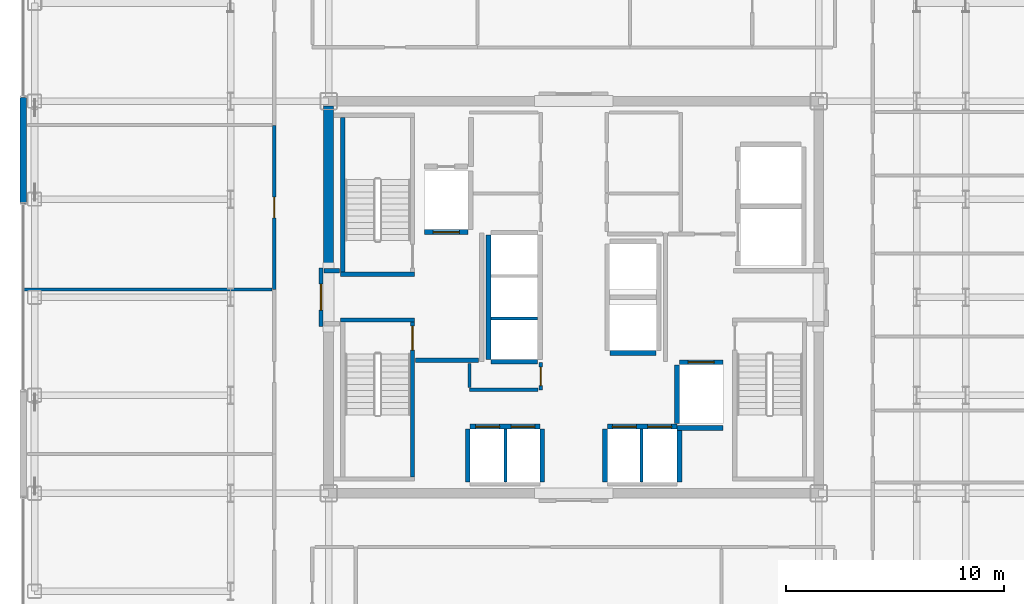
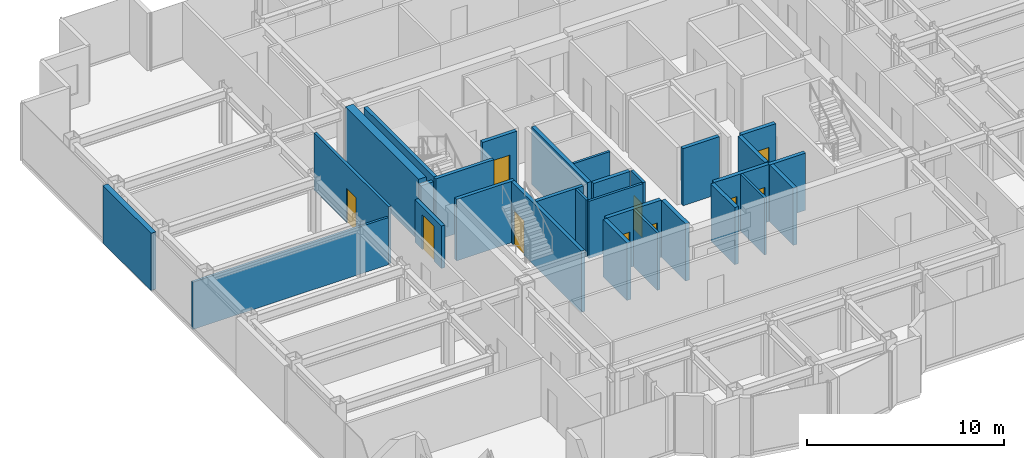
# One storey, part 16 of 21: 30 walls, 10 doors, 10 openings.
"""IFC4 building model written with IfcOpenShell, lengths in metres."""

from ifc_helpers import new_model, si_unit, direction, frame, frame_2d, origin, place, context, subcontext, project, spatial, rectangle, extrude, source, transform, mapped, material, layer, layer_set, type_object, element, fill, save


model = new_model("IFC4")

# Units and contexts
model_context = context("Model", 3, precision=1e-05, world=origin(), true_north=direction((0.0, 1.0)))
body_context = subcontext(model_context, "Body", "Model", "MODEL_VIEW")
ifc_project = project(units=[si_unit("LENGTHUNIT", "METRE"), si_unit("AREAUNIT", "SQUARE_METRE"), si_unit("VOLUMEUNIT", "CUBIC_METRE"), si_unit("PLANEANGLEUNIT", "RADIAN"), si_unit("MASSUNIT", "GRAM", prefix="KILO")], contexts=[model_context])

# Site, building, storey
site_placement = place(None, origin())
site = spatial("IfcSite", under=ifc_project, at=site_placement, CompositionType="ELEMENT")
building_placement = place(site_placement, origin())
building = spatial("IfcBuilding", under=site, at=building_placement, Name="Nefas-Gora Pilgrimage Tower", CompositionType="ELEMENT")
storey_placement = place(building_placement, frame((0.0, 0.0, 252.199951171875)))
storey = spatial("IfcBuildingStorey", under=building, at=storey_placement, Name="L63", CompositionType="ELEMENT", Elevation=252.199951171875)

# Walls
ifc_material_1 = material(Name="Concrete C50/60", Category="concrete")
ifc_layer_1 = layer(ifc_material_1, 0.449951171875)
ifc_layer_set_1 = layer_set([ifc_layer_1], Name="Concrete C50/60")
wall_type_1 = type_object("IfcWallType", Name="SW-CORE-450", PredefinedType="SHEAR", material=ifc_layer_set_1)
shared_shape_1 = source(origin(), body_context, "Body", "SweptSolid", [
    extrude(rectangle(XDim=7.4248046875, YDim=0.449951171875, at=frame_2d((3.71240234375, 0.0))), origin(), (0.0, 0.0, 1.0), 3.800048828125),
])
wall_1_placement = place(storey_placement, frame((-11.25, 1.35009765625, 0.0), z_axis=(0.0, 0.0, 1.0), x_axis=(0.0, 1.0, 0.0)))
element("IfcWall", 1, at=wall_1_placement, inside=storey, type_object=wall_type_1, Name="L63 Core Shear Wall W-North", PredefinedType="SHEAR", context=body_context, shape_type="MappedRepresentation", body=[
    mapped(shared_shape_1, transform((0.0, 0.0, 0.0), x_axis=(1.0, 0.0, 0.0), y_axis=(0.0, 1.0, 0.0), z_axis=(0.0, 0.0, 1.0), scale=1.0)),
])
ifc_material_2 = material(Name="Precast concrete C45/55", Category="concrete")
ifc_layer_2 = layer(ifc_material_2, 0.239990234375)
ifc_layer_set_2 = layer_set([ifc_layer_2], Name="Precast concrete C45/55")
wall_type_2 = type_object("IfcWallType", Name="EW-SERR-240", PredefinedType="SHEAR", material=ifc_layer_set_2)
shared_shape_2 = source(origin(), body_context, "Body", "SweptSolid", [
    extrude(rectangle(XDim=4.8798828125, YDim=0.300048828125, at=frame_2d((2.43994140625, 0.0))), origin(), (0.0, 0.0, 1.0), 3.550048828125),
])
wall_2_placement = place(storey_placement, frame((-25.27001953125, 4.31005859375, 0.0), z_axis=(0.0, 0.0, 1.0), x_axis=(0.0, 1.0, 0.0)))
element("IfcWall", 2, at=wall_2_placement, inside=storey, type_object=wall_type_2, Name="L63 Braced-Tube Precast Shear Cladding 2", PredefinedType="SHEAR", context=body_context, shape_type="MappedRepresentation", body=[
    mapped(shared_shape_2, transform((0.0, 0.0, 0.0), x_axis=(1.0, 0.0, 0.0), y_axis=(0.0, 1.0, 0.0), z_axis=(0.0, 0.0, 1.0), scale=1.0)),
])
ifc_material_3 = material(Name="Concrete C45/55", Category="concrete")
ifc_layer_3 = layer(ifc_material_3, 0.199951171875)
ifc_layer_set_3 = layer_set([ifc_layer_3], Name="Concrete C45/55")
wall_type_3 = type_object("IfcWallType", Name="IW-STAIR-200", PredefinedType="SOLIDWALL", material=ifc_layer_set_3)
shared_shape_3 = source(origin(), body_context, "Body", "SweptSolid", [
    extrude(rectangle(XDim=3.39990234375, YDim=0.199951171875, at=frame_2d((1.699951171875, 0.0))), origin(), (0.0, 0.0, 1.0), 3.800048828125),
])
for number, where, z_axis, x_axis, name in (
    (3, (-7.300048828125, 1.050048828125, 0.0), (0.0, 0.0, 1.0), (-1.0, 0.0, 0.0), "L63 Stairwell Shear Wall ST-01-near"),
    (4, (-10.699951171875, -1.050048828125, 0.0), (0.0, 0.0, 1.0), (1.0, 0.0, 0.0), "L63 Stairwell Shear Wall ST-03-near"),
):
    element("IfcWall", number, at=place(storey_placement, frame(where, z_axis=z_axis, x_axis=x_axis)), inside=storey, type_object=wall_type_3, Name=name, PredefinedType="SOLIDWALL", context=body_context, shape_type="MappedRepresentation", body=[
        mapped(shared_shape_3, transform((0.0, 0.0, 0.0), x_axis=(1.0, 0.0, 0.0), y_axis=(0.0, 1.0, 0.0), z_axis=(0.0, 0.0, 1.0), scale=1.0)),
    ])
shared_shape_4 = source(origin(), body_context, "Body", "SweptSolid", [
    extrude(rectangle(XDim=7.10009765625, YDim=0.199951171875, at=frame_2d((3.550048828125, 0.0))), origin(), (0.0, 0.0, 1.0), 3.800048828125),
])
wall_3_placement = place(storey_placement, frame((-10.60009765625, 1.14990234375, 0.0), z_axis=(0.0, 0.0, 1.0), x_axis=(0.0, 1.0, 0.0)))
element("IfcWall", 5, at=wall_3_placement, inside=storey, type_object=wall_type_3, Name="L63 Stairwell Shear Wall ST-01-right", PredefinedType="SOLIDWALL", context=body_context, shape_type="MappedRepresentation", body=[
    mapped(shared_shape_4, transform((0.0, 0.0, 0.0), x_axis=(1.0, 0.0, 0.0), y_axis=(0.0, 1.0, 0.0), z_axis=(0.0, 0.0, 1.0), scale=1.0)),
])

# Wall, opening, door
wall_4_placement = place(storey_placement, frame((-7.39990234375, -1.14990234375, 0.0), z_axis=(0.0, 0.0, 1.0), x_axis=(0.0, -1.0, 0.0)))
wall_4 = element("IfcWall", 6, at=wall_4_placement, inside=storey, type_object=wall_type_3, Name="L63 Stairwell Shear Wall ST-03-right", PredefinedType="SOLIDWALL", context=body_context, shape_type="MappedRepresentation", body=[
    mapped(shared_shape_4, transform((0.0, 0.0, 0.0), x_axis=(1.0, 0.0, 0.0), y_axis=(0.0, 1.0, 0.0), z_axis=(0.0, 0.0, 1.0), scale=1.0)),
])
opening_1_placement = place(wall_4_placement, frame((0.179931640625, 0.0, 0.0)))
opening_1 = element("IfcOpeningElement", 7, at=opening_1_placement, cuts=wall_4, Name="Opening ID-ST1", PredefinedType="OPENING", context=body_context, shape_type="SweptSolid", body=[
    extrude(rectangle(XDim=1.10009765625, YDim=2.14990234375, at=frame_2d((0.550048828125, 1.074951171875))), frame((0.0, 0.10986328125, 0.0), z_axis=(0.0, -1.0, 0.0), x_axis=(1.0, 0.0, 0.0)), (0.0, 0.0, 1.0), 0.219970703125),
])
ifc_material_4 = material(Name="Painted galvanised steel fire stair door", Category="steel")
door_type_1 = type_object("IfcDoorType", Name="DR-INT-STAIR-1100", OperationType="NOTDEFINED", PredefinedType="DOOR", material=ifc_material_4)
shared_shape_5 = source(origin(), body_context, "Body", "SweptSolid", [
    extrude(rectangle(XDim=1.10009765625, YDim=2.14990234375, at=frame_2d((0.550048828125, 1.074951171875))), frame((0.0, 0.02490234375, 0.0), z_axis=(0.0, -1.0, 0.0), x_axis=(1.0, 0.0, 0.0)), (0.0, 0.0, 1.0), 0.050048828125),
])
door_1_placement = place(opening_1_placement, origin())
door_1 = element("IfcDoor", 8, at=door_1_placement, inside=storey, type_object=door_type_1, Name="L63 Protected Exit Stair Door ST-03", OperationType="SINGLE_SWING_LEFT", OverallHeight=2.14990234375, OverallWidth=1.10009765625, PredefinedType="DOOR", context=body_context, shape_type="MappedRepresentation", body=[
    mapped(shared_shape_5, transform((0.0, 0.0, 0.0), x_axis=(1.0, 0.0, 0.0), y_axis=(0.0, 1.0, 0.0), z_axis=(0.0, 0.0, 1.0), scale=1.0)),
])
fill(opening_1, door_1)

ifc_material_5 = material(Name="Concrete C40/50", Category="concrete")
ifc_layer_4 = layer(ifc_material_5, 0.219970703125)
ifc_layer_set_4 = layer_set([ifc_layer_4], Name="Concrete C40/50")
wall_type_4 = type_object("IfcWallType", Name="IW-SHAFT-220", PredefinedType="SOLIDWALL", material=ifc_layer_set_4)
shared_shape_6 = source(origin(), body_context, "Body", "SweptSolid", [
    extrude(rectangle(XDim=2.0, YDim=0.219970703125, at=frame_2d((1.0, 0.0))), origin(), (0.0, 0.0, 1.0), 3.53515625),
])
wall_5_placement = place(storey_placement, frame((-6.85009765625, 2.989990234375, 0.0), z_axis=(0.0, 0.0, 1.0), x_axis=(1.0, 0.0, 0.0)))
wall_5 = element("IfcWall", 9, at=wall_5_placement, inside=storey, type_object=wall_type_4, Name="L63 Hoistway Wall FFL-01-S", PredefinedType="SOLIDWALL", context=body_context, shape_type="MappedRepresentation", body=[
    mapped(shared_shape_6, transform((0.0, 0.0, 0.0), x_axis=(1.0, 0.0, 0.0), y_axis=(0.0, 1.0, 0.0), z_axis=(0.0, 0.0, 1.0), scale=1.0)),
])
opening_2_placement = place(wall_5_placement, frame((0.39990234375, 0.0, 0.0)))
opening_2 = element("IfcOpeningElement", 10, at=opening_2_placement, cuts=wall_5, Name="Opening LD-FF", PredefinedType="OPENING", context=body_context, shape_type="SweptSolid", body=[
    extrude(rectangle(XDim=1.199951171875, YDim=2.199951171875, at=frame_2d((0.60009765625, 1.10009765625))), frame((0.0, 0.119873046875, 0.0), z_axis=(0.0, -1.0, 0.0), x_axis=(1.0, 0.0, 0.0)), (0.0, 0.0, 1.0), 0.239990234375),
])
ifc_material_6 = material(Name="Fire-service sliding lift landing door")
door_type_2 = type_object("IfcDoorType", Name="DR-LIFT-FSAE-1200", OperationType="SLIDING_TO_LEFT", PredefinedType="DOOR", material=ifc_material_6)
shared_shape_7 = source(origin(), body_context, "Body", "SweptSolid", [
    extrude(rectangle(XDim=1.199951171875, YDim=2.199951171875, at=frame_2d((0.60009765625, 1.10009765625))), frame((0.0, 0.02490234375, 0.0), z_axis=(0.0, -1.0, 0.0), x_axis=(1.0, 0.0, 0.0)), (0.0, 0.0, 1.0), 0.050048828125),
])
door_2_placement = place(opening_2_placement, origin())
door_2 = element("IfcDoor", 11, at=door_2_placement, inside=storey, type_object=door_type_2, Name="L63 Sliding Lift Landing Door FFL-01", OperationType="SLIDING_TO_LEFT", OverallHeight=2.199951171875, OverallWidth=1.199951171875, PredefinedType="DOOR", context=body_context, shape_type="MappedRepresentation", body=[
    mapped(shared_shape_7, transform((0.0, 0.0, 0.0), x_axis=(1.0, 0.0, 0.0), y_axis=(0.0, 1.0, 0.0), z_axis=(0.0, 0.0, 1.0), scale=1.0)),
])
fill(opening_2, door_2)

wall_6_placement = place(storey_placement, frame((6.85009765625, -2.989990234375, 0.0), z_axis=(0.0, 0.0, 1.0), x_axis=(-1.0, 0.0, 0.0)))
wall_6 = element("IfcWall", 12, at=wall_6_placement, inside=storey, type_object=wall_type_4, Name="L63 Hoistway Wall FFL-02-N", PredefinedType="SOLIDWALL", context=body_context, shape_type="MappedRepresentation", body=[
    mapped(shared_shape_6, transform((0.0, 0.0, 0.0), x_axis=(1.0, 0.0, 0.0), y_axis=(0.0, 1.0, 0.0), z_axis=(0.0, 0.0, 1.0), scale=1.0)),
])
opening_3_placement = place(wall_6_placement, frame((0.39990234375, 0.0, 0.0)))
opening_3 = element("IfcOpeningElement", 13, at=opening_3_placement, cuts=wall_6, Name="Opening LD-FF", PredefinedType="OPENING", context=body_context, shape_type="SweptSolid", body=[
    extrude(rectangle(XDim=1.199951171875, YDim=2.199951171875, at=frame_2d((0.60009765625, 1.10009765625))), frame((0.0, 0.119873046875, 0.0), z_axis=(0.0, -1.0, 0.0), x_axis=(1.0, 0.0, 0.0)), (0.0, 0.0, 1.0), 0.239990234375),
])
door_3_placement = place(opening_3_placement, origin())
door_3 = element("IfcDoor", 14, at=door_3_placement, inside=storey, type_object=door_type_2, Name="L63 Sliding Lift Landing Door FFL-02", OperationType="SLIDING_TO_LEFT", OverallHeight=2.199951171875, OverallWidth=1.199951171875, PredefinedType="DOOR", context=body_context, shape_type="MappedRepresentation", body=[
    mapped(shared_shape_7, transform((0.0, 0.0, 0.0), x_axis=(1.0, 0.0, 0.0), y_axis=(0.0, 1.0, 0.0), z_axis=(0.0, 0.0, 1.0), scale=1.0)),
])
fill(opening_3, door_3)

# Wall
shared_shape_8 = source(origin(), body_context, "Body", "SweptSolid", [
    extrude(rectangle(XDim=2.679931640625, YDim=0.219970703125, at=frame_2d((1.33984375, 0.0))), origin(), (0.0, 0.0, 1.0), 3.53515625),
])
wall_7_placement = place(storey_placement, frame((4.739990234375, -3.110107421875, 0.0), z_axis=(0.0, 0.0, 1.0), x_axis=(0.0, -1.0, 0.0)))
element("IfcWall", 15, at=wall_7_placement, inside=storey, type_object=wall_type_4, Name="L63 Hoistway Wall FFL-02-W", PredefinedType="SOLIDWALL", context=body_context, shape_type="MappedRepresentation", body=[
    mapped(shared_shape_8, transform((0.0, 0.0, 0.0), x_axis=(1.0, 0.0, 0.0), y_axis=(0.0, 1.0, 0.0), z_axis=(0.0, 0.0, 1.0), scale=1.0)),
])

# Wall, openings, doors
shared_shape_9 = source(origin(), body_context, "Body", "SweptSolid", [
    extrude(rectangle(XDim=3.199951171875, YDim=0.219970703125, at=frame_2d((1.60009765625, 0.0))), origin(), (0.0, 0.0, 1.0), 3.53515625),
])
wall_8_placement = place(storey_placement, frame((-1.550048828125, -5.93994140625, 0.0), z_axis=(0.0, 0.0, 1.0), x_axis=(-1.0, 0.0, 0.0)))
wall_8 = element("IfcWall", 16, at=wall_8_placement, inside=storey, type_object=wall_type_4, Name="L63 Hoistway Wall PL2-W-N", PredefinedType="SOLIDWALL", context=body_context, shape_type="MappedRepresentation", body=[
    mapped(shared_shape_9, transform((0.0, 0.0, 0.0), x_axis=(1.0, 0.0, 0.0), y_axis=(0.0, 1.0, 0.0), z_axis=(0.0, 0.0, 1.0), scale=1.0)),
])
opening_4_placement = place(wall_8_placement, frame((1.85009765625, 0.0, 0.0)))
opening_4 = element("IfcOpeningElement", 17, at=opening_4_placement, cuts=wall_8, Name="Opening LD-01", PredefinedType="OPENING", context=body_context, shape_type="SweptSolid", body=[
    extrude(rectangle(XDim=1.10009765625, YDim=2.199951171875, at=frame_2d((0.550048828125, 1.10009765625))), frame((0.0, 0.119873046875, 0.0), z_axis=(0.0, -1.0, 0.0), x_axis=(1.0, 0.0, 0.0)), (0.0, 0.0, 1.0), 0.239990234375),
])
opening_5_placement = place(wall_8_placement, frame((0.22509765625, 0.0, 0.0)))
opening_5 = element("IfcOpeningElement", 18, at=opening_5_placement, cuts=wall_8, Name="Opening LD-01", PredefinedType="OPENING", context=body_context, shape_type="SweptSolid", body=[
    extrude(rectangle(XDim=1.10009765625, YDim=2.199951171875, at=frame_2d((0.550048828125, 1.10009765625))), frame((0.0, 0.119873046875, 0.0), z_axis=(0.0, -1.0, 0.0), x_axis=(1.0, 0.0, 0.0)), (0.0, 0.0, 1.0), 0.239990234375),
])
ifc_material_7 = material(Name="Brushed stainless sliding lift landing door")
door_type_3 = type_object("IfcDoorType", Name="DR-LIFT-PASS-1100", OperationType="DOUBLE_DOOR_SLIDING", PredefinedType="DOOR", material=ifc_material_7)
shared_shape_10 = source(origin(), body_context, "Body", "SweptSolid", [
    extrude(rectangle(XDim=1.10009765625, YDim=2.199951171875, at=frame_2d((0.550048828125, 1.10009765625))), frame((0.0, 0.02490234375, 0.0), z_axis=(0.0, -1.0, 0.0), x_axis=(1.0, 0.0, 0.0)), (0.0, 0.0, 1.0), 0.050048828125),
])
door_4_placement = place(opening_4_placement, origin())
door_4 = element("IfcDoor", 19, at=door_4_placement, inside=storey, type_object=door_type_3, Name="L63 Sliding Lift Landing Door PL2-01", OperationType="DOUBLE_DOOR_SLIDING", OverallHeight=2.199951171875, OverallWidth=1.10009765625, PredefinedType="DOOR", context=body_context, shape_type="MappedRepresentation", body=[
    mapped(shared_shape_10, transform((0.0, 0.0, 0.0), x_axis=(1.0, 0.0, 0.0), y_axis=(0.0, 1.0, 0.0), z_axis=(0.0, 0.0, 1.0), scale=1.0)),
])
fill(opening_4, door_4)
door_5_placement = place(opening_5_placement, origin())
door_5 = element("IfcDoor", 20, at=door_5_placement, inside=storey, type_object=door_type_3, Name="L63 Sliding Lift Landing Door PL2-02", OperationType="DOUBLE_DOOR_SLIDING", OverallHeight=2.199951171875, OverallWidth=1.10009765625, PredefinedType="DOOR", context=body_context, shape_type="MappedRepresentation", body=[
    mapped(shared_shape_10, transform((0.0, 0.0, 0.0), x_axis=(1.0, 0.0, 0.0), y_axis=(0.0, 1.0, 0.0), z_axis=(0.0, 0.0, 1.0), scale=1.0)),
])
fill(opening_5, door_5)

wall_9_placement = place(storey_placement, frame((4.75, -5.93994140625, 0.0), z_axis=(0.0, 0.0, 1.0), x_axis=(-1.0, 0.0, 0.0)))
wall_9 = element("IfcWall", 21, at=wall_9_placement, inside=storey, type_object=wall_type_4, Name="L63 Hoistway Wall PL2-E-N", PredefinedType="SOLIDWALL", context=body_context, shape_type="MappedRepresentation", body=[
    mapped(shared_shape_9, transform((0.0, 0.0, 0.0), x_axis=(1.0, 0.0, 0.0), y_axis=(0.0, 1.0, 0.0), z_axis=(0.0, 0.0, 1.0), scale=1.0)),
])
opening_6_placement = place(wall_9_placement, frame((1.875, 0.0, 0.0)))
opening_6 = element("IfcOpeningElement", 22, at=opening_6_placement, cuts=wall_9, Name="Opening LD-01", PredefinedType="OPENING", context=body_context, shape_type="SweptSolid", body=[
    extrude(rectangle(XDim=1.10009765625, YDim=2.199951171875, at=frame_2d((0.550048828125, 1.10009765625))), frame((0.0, 0.119873046875, 0.0), z_axis=(0.0, -1.0, 0.0), x_axis=(1.0, 0.0, 0.0)), (0.0, 0.0, 1.0), 0.239990234375),
])
opening_7_placement = place(wall_9_placement, frame((0.25, 0.0, 0.0)))
opening_7 = element("IfcOpeningElement", 23, at=opening_7_placement, cuts=wall_9, Name="Opening LD-01", PredefinedType="OPENING", context=body_context, shape_type="SweptSolid", body=[
    extrude(rectangle(XDim=1.10009765625, YDim=2.199951171875, at=frame_2d((0.550048828125, 1.10009765625))), frame((0.0, 0.119873046875, 0.0), z_axis=(0.0, -1.0, 0.0), x_axis=(1.0, 0.0, 0.0)), (0.0, 0.0, 1.0), 0.239990234375),
])
door_6_placement = place(opening_6_placement, origin())
door_6 = element("IfcDoor", 24, at=door_6_placement, inside=storey, type_object=door_type_3, Name="L63 Sliding Lift Landing Door PL2-03", OperationType="DOUBLE_DOOR_SLIDING", OverallHeight=2.199951171875, OverallWidth=1.10009765625, PredefinedType="DOOR", context=body_context, shape_type="MappedRepresentation", body=[
    mapped(shared_shape_10, transform((0.0, 0.0, 0.0), x_axis=(1.0, 0.0, 0.0), y_axis=(0.0, 1.0, 0.0), z_axis=(0.0, 0.0, 1.0), scale=1.0)),
])
fill(opening_6, door_6)
door_7_placement = place(opening_7_placement, origin())
door_7 = element("IfcDoor", 25, at=door_7_placement, inside=storey, type_object=door_type_3, Name="L63 Sliding Lift Landing Door PL2-04", OperationType="DOUBLE_DOOR_SLIDING", OverallHeight=2.199951171875, OverallWidth=1.10009765625, PredefinedType="DOOR", context=body_context, shape_type="MappedRepresentation", body=[
    mapped(shared_shape_10, transform((0.0, 0.0, 0.0), x_axis=(1.0, 0.0, 0.0), y_axis=(0.0, 1.0, 0.0), z_axis=(0.0, 0.0, 1.0), scale=1.0)),
])
fill(opening_7, door_7)

# Walls
shared_shape_11 = source(origin(), body_context, "Body", "SweptSolid", [
    extrude(rectangle(XDim=2.429931640625, YDim=0.219970703125, at=frame_2d((1.21484375, 0.0))), origin(), (0.0, 0.0, 1.0), 3.53515625),
])
for number, where, z_axis, x_axis, name in (
    (26, (-4.860107421875, -6.06005859375, 0.0), (0.0, 0.0, 1.0), (0.0, -1.0, 0.0), "L63 Hoistway Wall PL2-W-W"),
    (27, (-1.43994140625, -8.489990234375, 0.0), (0.0, 0.0, 1.0), (0.0, 1.0, 0.0), "L63 Hoistway Wall PL2-W-E"),
    (28, (1.43994140625, -6.06005859375, 0.0), (0.0, 0.0, 1.0), (0.0, -1.0, 0.0), "L63 Hoistway Wall PL2-E-W"),
    (29, (4.860107421875, -8.489990234375, 0.0), (0.0, 0.0, 1.0), (0.0, 1.0, 0.0), "L63 Hoistway Wall PL2-E-E"),
):
    element("IfcWall", number, at=place(storey_placement, frame(where, z_axis=z_axis, x_axis=x_axis)), inside=storey, type_object=wall_type_4, Name=name, PredefinedType="SOLIDWALL", context=body_context, shape_type="MappedRepresentation", body=[
        mapped(shared_shape_11, transform((0.0, 0.0, 0.0), x_axis=(1.0, 0.0, 0.0), y_axis=(0.0, 1.0, 0.0), z_axis=(0.0, 0.0, 1.0), scale=1.0)),
    ])
ifc_material_8 = material(Name="Gypsum twin-stud partition")
ifc_layer_5 = layer(ifc_material_8, 0.139892578125)
ifc_layer_set_5 = layer_set([ifc_layer_5], Name="Gypsum twin-stud partition")
wall_type_5 = type_object("IfcWallType", Name="IW-UNIT-140", PredefinedType="PARTITIONING", material=ifc_layer_set_5)
shared_shape_12 = source(origin(), body_context, "Body", "SweptSolid", [
    extrude(rectangle(XDim=2.429931640625, YDim=0.139892578125, at=frame_2d((1.21484375, 0.0))), origin(), (0.0, 0.0, 1.0), 3.53515625),
])
for number, where, z_axis, x_axis, name in (
    (30, (-3.125, -8.489990234375, 0.0), (0.0, 0.0, 1.0), (0.0, 1.0, 0.0), "L63 Hoistway Wall PL2-W-DIV"),
    (31, (3.125, -8.489990234375, 0.0), (0.0, 0.0, 1.0), (0.0, 1.0, 0.0), "L63 Hoistway Wall PL2-E-DIV"),
):
    element("IfcWall", number, at=place(storey_placement, frame(where, z_axis=z_axis, x_axis=x_axis)), inside=storey, type_object=wall_type_5, Name=name, PredefinedType="PARTITIONING", context=body_context, shape_type="MappedRepresentation", body=[
        mapped(shared_shape_12, transform((0.0, 0.0, 0.0), x_axis=(1.0, 0.0, 0.0), y_axis=(0.0, 1.0, 0.0), z_axis=(0.0, 0.0, 1.0), scale=1.0)),
    ])
shared_shape_13 = source(origin(), body_context, "Body", "SweptSolid", [
    extrude(rectangle(XDim=5.7001953125, YDim=0.219970703125, at=frame_2d((2.85009765625, 0.0))), origin(), (0.0, 0.0, 1.0), 3.53515625),
])
wall_10_placement = place(storey_placement, frame((-3.909912109375, 2.85009765625, 0.0), z_axis=(0.0, 0.0, 1.0), x_axis=(0.0, -1.0, 0.0)))
element("IfcWall", 32, at=wall_10_placement, inside=storey, type_object=wall_type_4, Name="L63 Hoistway Wall PL3-01-03-W", PredefinedType="SOLIDWALL", context=body_context, shape_type="MappedRepresentation", body=[
    mapped(shared_shape_13, transform((0.0, 0.0, 0.0), x_axis=(1.0, 0.0, 0.0), y_axis=(0.0, 1.0, 0.0), z_axis=(0.0, 0.0, 1.0), scale=1.0)),
])
shared_shape_14 = source(origin(), body_context, "Body", "SweptSolid", [
    extrude(rectangle(XDim=2.130126953125, YDim=0.219970703125, at=frame_2d((1.06494140625, 0.0))), origin(), (0.0, 0.0, 1.0), 3.53515625),
])
for number, where, z_axis, x_axis, name in (
    (33, (-3.7900390625, -2.9599609375, 0.0), (0.0, 0.0, 1.0), (1.0, 0.0, 0.0), "L63 Hoistway Wall PL3-01-S"),
    (34, (1.659912109375, -2.56005859375, 0.0), (0.0, 0.0, 1.0), (1.0, 0.0, 0.0), "L63 Hoistway Wall OBS-01-S"),
):
    element("IfcWall", number, at=place(storey_placement, frame(where, z_axis=z_axis, x_axis=x_axis)), inside=storey, type_object=wall_type_4, Name=name, PredefinedType="SOLIDWALL", context=body_context, shape_type="MappedRepresentation", body=[
        mapped(shared_shape_14, transform((0.0, 0.0, 0.0), x_axis=(1.0, 0.0, 0.0), y_axis=(0.0, 1.0, 0.0), z_axis=(0.0, 0.0, 1.0), scale=1.0)),
    ])
shared_shape_15 = source(origin(), body_context, "Body", "SweptSolid", [
    extrude(rectangle(XDim=2.130126953125, YDim=0.139892578125, at=frame_2d((1.06494140625, 0.0))), origin(), (0.0, 0.0, 1.0), 3.53515625),
])
wall_11_placement = place(storey_placement, frame((-3.7900390625, -0.97509765625, 0.0), z_axis=(0.0, 0.0, 1.0), x_axis=(1.0, 0.0, 0.0)))
element("IfcWall", 35, at=wall_11_placement, inside=storey, type_object=wall_type_5, Name="L63 Hoistway Wall PL3-01-02-DIV", PredefinedType="PARTITIONING", context=body_context, shape_type="MappedRepresentation", body=[
    mapped(shared_shape_15, transform((0.0, 0.0, 0.0), x_axis=(1.0, 0.0, 0.0), y_axis=(0.0, 1.0, 0.0), z_axis=(0.0, 0.0, 1.0), scale=1.0)),
])
shared_shape_16 = source(origin(), body_context, "Body", "SweptSolid", [
    extrude(rectangle(XDim=2.09521484375, YDim=0.219970703125, at=frame_2d((1.047607421875, 0.0))), origin(), (0.0, 0.0, 1.0), 3.53515625),
])
wall_12_placement = place(storey_placement, frame((4.7548828125, -6.0, 0.0), z_axis=(0.0, 0.0, 1.0), x_axis=(1.0, 0.0, 0.0)))
element("IfcWall", 36, at=wall_12_placement, inside=storey, type_object=wall_type_4, Name="L63 Riser Shaft Wall 3", PredefinedType="SOLIDWALL", context=body_context, shape_type="MappedRepresentation", body=[
    mapped(shared_shape_16, transform((0.0, 0.0, 0.0), x_axis=(1.0, 0.0, 0.0), y_axis=(0.0, 1.0, 0.0), z_axis=(0.0, 0.0, 1.0), scale=1.0)),
])
ifc_material_9 = material(Name="Gypsum fire-rated shaftwall")
ifc_layer_6 = layer(ifc_material_9, 0.199951171875)
ifc_layer_set_6 = layer_set([ifc_layer_6], Name="Gypsum fire-rated shaftwall")
wall_type_6 = type_object("IfcWallType", Name="IW-FFLOB-200", PredefinedType="PARTITIONING", material=ifc_layer_set_6)
shared_shape_17 = source(origin(), body_context, "Body", "SweptSolid", [
    extrude(rectangle(XDim=2.89990234375, YDim=0.199951171875, at=frame_2d((1.449951171875, 0.0))), origin(), (0.0, 0.0, 1.0), 3.53515625),
])
wall_13_placement = place(storey_placement, frame((-7.260009765625, -2.89990234375, 0.0), z_axis=(0.0, 0.0, 1.0), x_axis=(1.0, 0.0, 0.0)))
element("IfcWall", 37, at=wall_13_placement, inside=storey, type_object=wall_type_6, Name="L63 FF Lobby West South Wall Wall 6", PredefinedType="PARTITIONING", context=body_context, shape_type="MappedRepresentation", body=[
    mapped(shared_shape_17, transform((0.0, 0.0, 0.0), x_axis=(1.0, 0.0, 0.0), y_axis=(0.0, 1.0, 0.0), z_axis=(0.0, 0.0, 1.0), scale=1.0)),
])
shared_shape_18 = source(origin(), body_context, "Body", "SweptSolid", [
    extrude(rectangle(XDim=0.719970703125, YDim=0.199951171875, at=frame_2d((0.35986328125, 0.0))), origin(), (0.0, 0.0, 1.0), 3.53515625),
])
wall_14_placement = place(storey_placement, frame((-11.4599609375, 1.219970703125, 0.0), z_axis=(0.0, 0.0, 1.0), x_axis=(1.0, 0.0, 0.0)))
element("IfcWall", 38, at=wall_14_placement, inside=storey, type_object=wall_type_6, Name="L63 FF Lobby West Throat N Wall 7", PredefinedType="PARTITIONING", context=body_context, shape_type="MappedRepresentation", body=[
    mapped(shared_shape_18, transform((0.0, 0.0, 0.0), x_axis=(1.0, 0.0, 0.0), y_axis=(0.0, 1.0, 0.0), z_axis=(0.0, 0.0, 1.0), scale=1.0)),
])
shared_shape_19 = source(origin(), body_context, "Body", "SweptSolid", [
    extrude(rectangle(XDim=3.150146484375, YDim=0.139892578125, at=frame_2d((1.5751953125, 0.0))), origin(), (0.0, 0.0, 1.0), 3.53515625),
])
wall_15_placement = place(storey_placement, frame((-4.7900390625, -4.25, 0.0), z_axis=(0.0, 0.0, 1.0), x_axis=(1.0, 0.0, 0.0)))
element("IfcWall", 39, at=wall_15_placement, inside=storey, type_object=wall_type_5, Name="L63 Guest Self-Service Laundry Room Partition Wall 27", PredefinedType="PARTITIONING", context=body_context, shape_type="MappedRepresentation", body=[
    mapped(shared_shape_19, transform((0.0, 0.0, 0.0), x_axis=(1.0, 0.0, 0.0), y_axis=(0.0, 1.0, 0.0), z_axis=(0.0, 0.0, 1.0), scale=1.0)),
])

# Wall, opening, door
ifc_material_10 = material(Name="Gypsum acoustic stud partition")
ifc_layer_7 = layer(ifc_material_10, 0.159912109375)
ifc_layer_set_7 = layer_set([ifc_layer_7], Name="Gypsum acoustic stud partition")
wall_type_7 = type_object("IfcWallType", Name="IW-CORR-160", PredefinedType="PARTITIONING", material=ifc_layer_set_7)
shared_shape_20 = source(origin(), body_context, "Body", "SweptSolid", [
    extrude(rectangle(XDim=1.25, YDim=0.159912109375, at=frame_2d((0.625, 0.0))), origin(), (0.0, 0.0, 1.0), 3.53515625),
])
wall_16_placement = place(storey_placement, frame((-1.52001953125, -4.260009765625, 0.0), z_axis=(0.0, 0.0, 1.0), x_axis=(0.0, 1.0, 0.0)))
wall_16 = element("IfcWall", 40, at=wall_16_placement, inside=storey, type_object=wall_type_7, Name="L63 Guest Self-Service Laundry Room Wall 26", PredefinedType="PARTITIONING", context=body_context, shape_type="MappedRepresentation", body=[
    mapped(shared_shape_20, transform((0.0, 0.0, 0.0), x_axis=(1.0, 0.0, 0.0), y_axis=(0.0, 1.0, 0.0), z_axis=(0.0, 0.0, 1.0), scale=1.0)),
])
opening_8_placement = place(wall_16_placement, frame((0.199951171875, 0.0, 0.0)))
opening_8 = element("IfcOpeningElement", 41, at=opening_8_placement, cuts=wall_16, Name="Opening ID-BT1", PredefinedType="OPENING", context=body_context, shape_type="SweptSolid", body=[
    extrude(rectangle(XDim=0.85009765625, YDim=2.10009765625, at=frame_2d((0.425048828125, 1.050048828125))), frame((0.0, 0.08984375, 0.0), z_axis=(0.0, -1.0, 0.0), x_axis=(1.0, 0.0, 0.0)), (0.0, 0.0, 1.0), 0.179931640625),
])
ifc_material_11 = material(Name="Moisture-resistant fire-rated timber door", Category="wood")
door_type_4 = type_object("IfcDoorType", Name="DR-INT-BATH-850", OperationType="NOTDEFINED", PredefinedType="DOOR", material=ifc_material_11)
shared_shape_21 = source(origin(), body_context, "Body", "SweptSolid", [
    extrude(rectangle(XDim=0.85009765625, YDim=2.10009765625, at=frame_2d((0.425048828125, 1.050048828125))), frame((0.0, 0.02490234375, 0.0), z_axis=(0.0, -1.0, 0.0), x_axis=(1.0, 0.0, 0.0)), (0.0, 0.0, 1.0), 0.050048828125),
])
door_8_placement = place(opening_8_placement, origin())
door_8 = element("IfcDoor", 42, at=door_8_placement, inside=storey, type_object=door_type_4, Name="L63 Guest Self-Service Laundry Room Door 11", OperationType="SINGLE_SWING_LEFT", OverallHeight=2.10009765625, OverallWidth=0.85009765625, PredefinedType="DOOR", context=body_context, shape_type="MappedRepresentation", body=[
    mapped(shared_shape_21, transform((0.0, 0.0, 0.0), x_axis=(1.0, 0.0, 0.0), y_axis=(0.0, 1.0, 0.0), z_axis=(0.0, 0.0, 1.0), scale=1.0)),
])
fill(opening_8, door_8)

# Wall
shared_shape_22 = source(origin(), body_context, "Body", "SweptSolid", [
    extrude(rectangle(XDim=1.099853515625, YDim=0.139892578125, at=frame_2d((0.5498046875, 0.0))), origin(), (0.0, 0.0, 1.0), 3.53515625),
])
wall_17_placement = place(storey_placement, frame((-4.780029296875, -4.139892578125, 0.0), z_axis=(0.0, 0.0, 1.0), x_axis=(0.0, 1.0, 0.0)))
element("IfcWall", 43, at=wall_17_placement, inside=storey, type_object=wall_type_5, Name="L63 Guest Self-Service Laundry Room Partition Wall 28", PredefinedType="PARTITIONING", context=body_context, shape_type="MappedRepresentation", body=[
    mapped(shared_shape_22, transform((0.0, 0.0, 0.0), x_axis=(1.0, 0.0, 0.0), y_axis=(0.0, 1.0, 0.0), z_axis=(0.0, 0.0, 1.0), scale=1.0)),
])

# Wall, opening, door
shared_shape_23 = source(origin(), body_context, "Body", "SweptSolid", [
    extrude(rectangle(XDim=2.7001953125, YDim=0.199951171875, at=frame_2d((1.35009765625, 0.0))), origin(), (0.0, 0.0, 1.0), 2.625),
])
wall_18_placement = place(storey_placement, frame((-11.60009765625, -1.35009765625, 0.0), z_axis=(0.0, 0.0, 1.0), x_axis=(0.0, 1.0, 0.0)))
wall_18 = element("IfcWall", 44, at=wall_18_placement, inside=storey, type_object=wall_type_6, Name="L63 FF Lobby West Portal Wall 4", PredefinedType="PARTITIONING", context=body_context, shape_type="MappedRepresentation", body=[
    mapped(shared_shape_23, transform((0.0, 0.0, 0.0), x_axis=(1.0, 0.0, 0.0), y_axis=(0.0, 1.0, 0.0), z_axis=(0.0, 0.0, 1.0), scale=1.0)),
])
opening_9_placement = place(wall_18_placement, frame((0.75, 0.0, 0.0)))
opening_9 = element("IfcOpeningElement", 45, at=opening_9_placement, cuts=wall_18, Name="Opening ID-FF1", PredefinedType="OPENING", context=body_context, shape_type="SweptSolid", body=[
    extrude(rectangle(XDim=1.199951171875, YDim=2.14990234375, at=frame_2d((0.60009765625, 1.074951171875))), frame((0.0, 0.10986328125, 0.0), z_axis=(0.0, -1.0, 0.0), x_axis=(1.0, 0.0, 0.0)), (0.0, 0.0, 1.0), 0.219970703125),
])
ifc_material_12 = material(Name="Smoke-sealed steel firefighting lobby door", Category="steel")
door_type_5 = type_object("IfcDoorType", Name="DR-INT-FFLOB-1200", OperationType="NOTDEFINED", PredefinedType="DOOR", material=ifc_material_12)
shared_shape_24 = source(origin(), body_context, "Body", "SweptSolid", [
    extrude(rectangle(XDim=1.199951171875, YDim=2.14990234375, at=frame_2d((0.60009765625, 1.074951171875))), frame((0.0, 0.02490234375, 0.0), z_axis=(0.0, -1.0, 0.0), x_axis=(1.0, 0.0, 0.0)), (0.0, 0.0, 1.0), 0.050048828125),
])
door_9_placement = place(opening_9_placement, origin())
door_9 = element("IfcDoor", 46, at=door_9_placement, inside=storey, type_object=door_type_5, Name="L63 FF Lobby West Portal Door 2", OperationType="SINGLE_SWING_RIGHT", OverallHeight=2.14990234375, OverallWidth=1.199951171875, PredefinedType="DOOR", context=body_context, shape_type="MappedRepresentation", body=[
    mapped(shared_shape_24, transform((0.0, 0.0, 0.0), x_axis=(1.0, 0.0, 0.0), y_axis=(0.0, 1.0, 0.0), z_axis=(0.0, 0.0, 1.0), scale=1.0)),
])
fill(opening_9, door_9)

# Wall
shared_shape_25 = source(origin(), body_context, "Body", "SweptSolid", [
    extrude(rectangle(XDim=11.429931640625, YDim=0.139892578125, at=frame_2d((5.71484375, 0.0))), origin(), (0.0, 0.0, 1.0), 2.925048828125),
])
wall_19_placement = place(storey_placement, frame((-25.2900390625, 0.351318359375, 0.0), z_axis=(0.0, 0.0, 1.0), x_axis=(1.0, 0.0, 0.0)))
element("IfcWall", 47, at=wall_19_placement, inside=storey, type_object=wall_type_5, Name="L63 Pilgrim Tea and Beverage Pantry Partition Wall 39", PredefinedType="PARTITIONING", context=body_context, shape_type="MappedRepresentation", body=[
    mapped(shared_shape_25, transform((0.0, 0.0, 0.0), x_axis=(1.0, 0.0, 0.0), y_axis=(0.0, 1.0, 0.0), z_axis=(0.0, 0.0, 1.0), scale=1.0)),
])

# Wall, opening, door
shared_shape_26 = source(origin(), body_context, "Body", "SweptSolid", [
    extrude(rectangle(XDim=7.546142578125, YDim=0.159912109375, at=frame_2d((3.77294921875, 0.0))), origin(), (0.0, 0.0, 1.0), 3.53515625),
])
wall_20_placement = place(storey_placement, frame((-13.739990234375, 0.34130859375, 0.0), z_axis=(0.0, 0.0, 1.0), x_axis=(0.0, 1.0, 0.0)))
wall_20 = element("IfcWall", 48, at=wall_20_placement, inside=storey, type_object=wall_type_7, Name="L63 Pilgrim Tea and Beverage Pantry Partition Wall 38", PredefinedType="PARTITIONING", context=body_context, shape_type="MappedRepresentation", body=[
    mapped(shared_shape_26, transform((0.0, 0.0, 0.0), x_axis=(1.0, 0.0, 0.0), y_axis=(0.0, 1.0, 0.0), z_axis=(0.0, 0.0, 1.0), scale=1.0)),
])
opening_10_placement = place(wall_20_placement, frame((3.298095703125, 0.0, 0.0)))
opening_10 = element("IfcOpeningElement", 49, at=opening_10_placement, cuts=wall_20, Name="Opening ID-GR1", PredefinedType="OPENING", context=body_context, shape_type="SweptSolid", body=[
    extrude(rectangle(XDim=0.949951171875, YDim=2.10009765625, at=frame_2d((0.47509765625, 1.050048828125))), frame((0.0, 0.08984375, 0.0), z_axis=(0.0, -1.0, 0.0), x_axis=(1.0, 0.0, 0.0)), (0.0, 0.0, 1.0), 0.179931640625),
])
ifc_material_13 = material(Name="Solid core oak fire-rated guest entrance door")
door_type_6 = type_object("IfcDoorType", Name="DR-INT-GUEST-950", OperationType="NOTDEFINED", PredefinedType="DOOR", material=ifc_material_13)
shared_shape_27 = source(origin(), body_context, "Body", "SweptSolid", [
    extrude(rectangle(XDim=0.949951171875, YDim=2.10009765625, at=frame_2d((0.47509765625, 1.050048828125))), frame((0.0, 0.02490234375, 0.0), z_axis=(0.0, -1.0, 0.0), x_axis=(1.0, 0.0, 0.0)), (0.0, 0.0, 1.0), 0.050048828125),
])
door_10_placement = place(opening_10_placement, origin())
door_10 = element("IfcDoor", 50, at=door_10_placement, inside=storey, type_object=door_type_6, Name="L63 Pilgrim Tea and Beverage Pantry Door 16", OperationType="SINGLE_SWING_RIGHT", OverallHeight=2.10009765625, OverallWidth=0.949951171875, PredefinedType="DOOR", context=body_context, shape_type="MappedRepresentation", body=[
    mapped(shared_shape_27, transform((0.0, 0.0, 0.0), x_axis=(1.0, 0.0, 0.0), y_axis=(0.0, 1.0, 0.0), z_axis=(0.0, 0.0, 1.0), scale=1.0)),
])
fill(opening_10, door_10)

save(model, "model.ifc")
